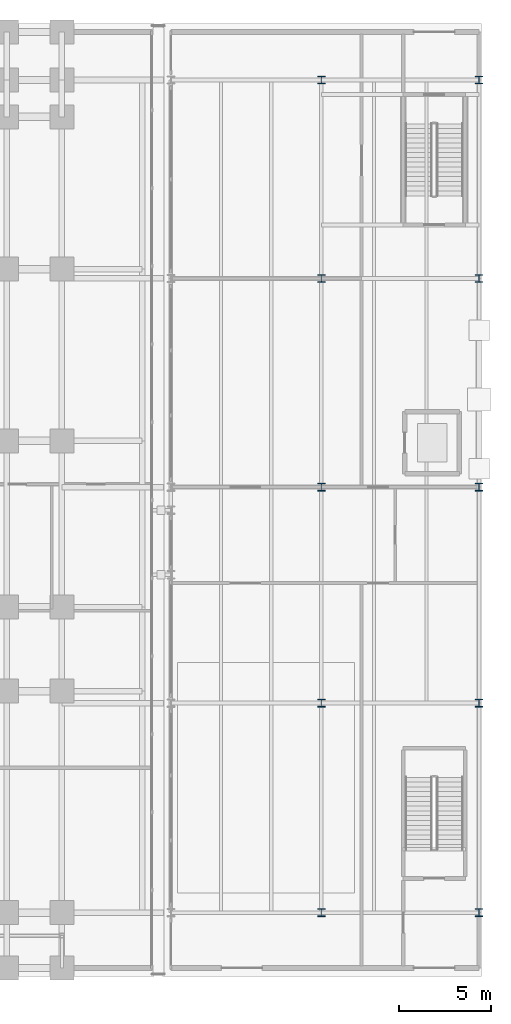
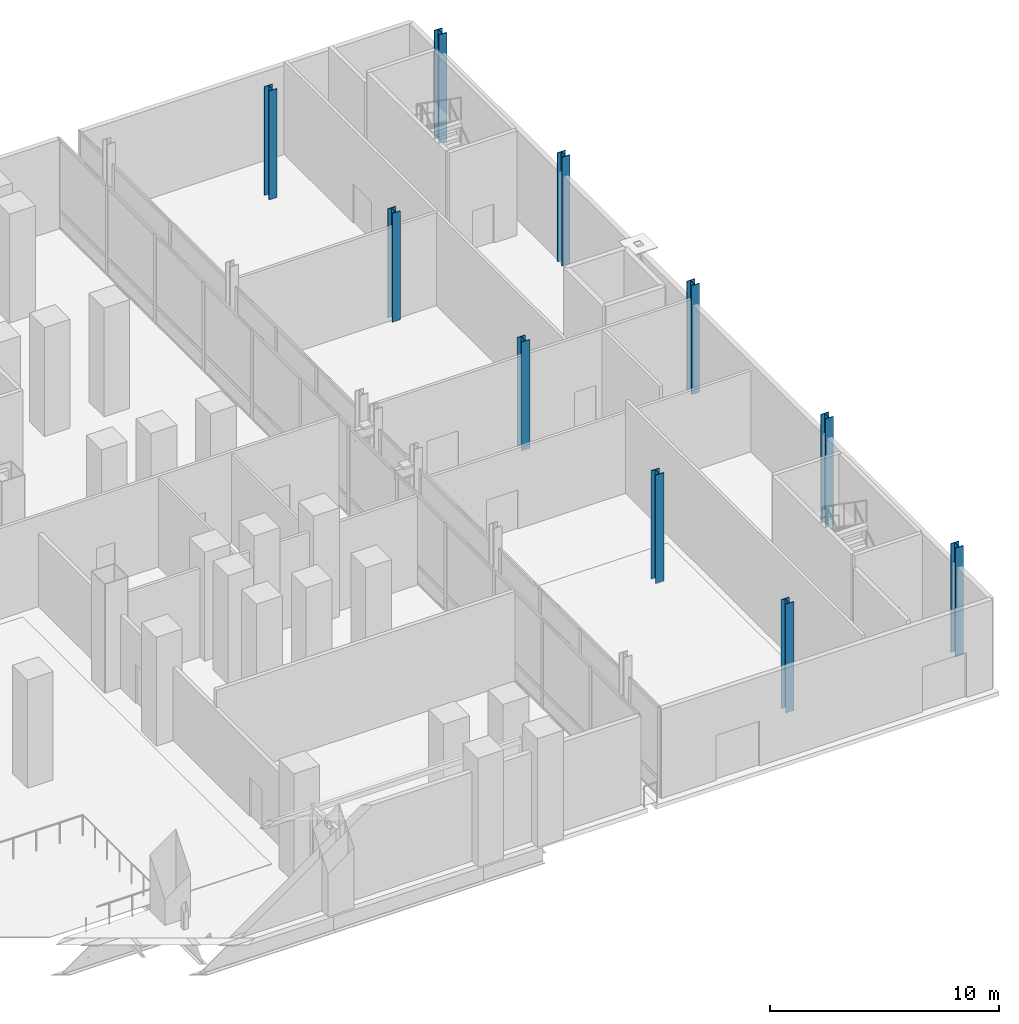
# One storey, part 5 of 36: 10 columns.
"""IFC4 building model written with IfcOpenShell, lengths in metres."""

import ifcopenshell
import ifcopenshell.guid

model = None  # the IFC model being written
_history = None  # IfcOwnerHistory: only IFC2X3 demands one
_inside = {}  # id of a spatial element -> (the spatial element, [elements in it])
_under = {}  # id of a project, library or spatial element -> (it, [spatial elements below it])
_declared = {}  # id of a project -> (the project, [libraries it declares])
_typed = {}  # id of a type object -> (the type object, [elements of that type])
_made_of = {}  # id of a material, layer set ... -> (it, [elements and type objects made of it])


def new_model(schema):
    """Start an empty IFC model of exactly this schema.

    Asked for "IFC4X3", IfcOpenShell would pick the latest addendum, in which some entities
    have other attributes; the version numbers below select the first issue.
    IFC2X3 requires an IfcOwnerHistory on every rooted entity: one is made here for all.
    """
    global model, _history
    if schema == "IFC4X3":
        model = ifcopenshell.file(schema_version=(4, 3, 0, 0))
    else:
        model = ifcopenshell.file(schema=schema)
    _inside.clear()
    _under.clear()
    _declared.clear()
    _typed.clear()
    _made_of.clear()
    _history = None
    if model.schema == "IFC2X3":
        org = make("IfcOrganization", Name="unknown")
        user = make(
            "IfcPersonAndOrganization",
            ThePerson=make("IfcPerson", FamilyName="unknown"),
            TheOrganization=org,
        )
        app = make(
            "IfcApplication",
            ApplicationDeveloper=org,
            Version="unknown",
            ApplicationFullName="unknown",
            ApplicationIdentifier="unknown",
        )
        _history = make(
            "IfcOwnerHistory",
            OwningUser=user,
            OwningApplication=app,
            ChangeAction="ADDED",
            CreationDate=0,
        )
    return model


def make(cls, **values):
    """One entity of the class cls with the attributes given. An attribute that is None is left unset."""
    return model.create_entity(
        cls, **{name: value for name, value in values.items() if value is not None}
    )


def rooted(cls, **values):
    """An entity with a GlobalId (a new one), such as an element, a storey or a relation."""
    return make(cls, GlobalId=ifcopenshell.guid.new(), OwnerHistory=_history, **values)


def si_unit(unit_type, name, prefix=None):
    """IfcSIUnit, for example si_unit("LENGTHUNIT", "METRE", prefix="MILLI")."""
    return make("IfcSIUnit", UnitType=unit_type, Prefix=prefix, Name=name)


def assignment(units):
    """IfcUnitAssignment: the units of a project."""
    return None if units is None else make("IfcUnitAssignment", Units=units)


def point(xyz):
    """IfcCartesianPoint."""
    return None if xyz is None else make("IfcCartesianPoint", Coordinates=xyz)


def direction(xyz):
    """IfcDirection."""
    return None if xyz is None else make("IfcDirection", DirectionRatios=xyz)


def frame(location, z_axis=None, x_axis=None):
    """IfcAxis2Placement3D, a coordinate frame: its origin and axes. An axis left out is left unset."""
    return make(
        "IfcAxis2Placement3D",
        Location=point(location),
        Axis=direction(z_axis),
        RefDirection=direction(x_axis),
    )


def frame_2d(location, x_axis=None):
    """IfcAxis2Placement2D, a coordinate frame in the plane: its origin and x axis."""
    return make(
        "IfcAxis2Placement2D", Location=point(location), RefDirection=direction(x_axis)
    )


def origin():
    """The frame at (0, 0, 0) with its axes left unset."""
    return frame((0.0, 0.0, 0.0))


def origin_2d():
    """The frame at (0, 0) in the plane with its x axis left unset."""
    return frame_2d((0.0, 0.0))


def place(relative_to, where):
    """IfcLocalPlacement: puts the frame where relative to a parent placement (None: the world)."""
    return make(
        "IfcLocalPlacement", PlacementRelTo=relative_to, RelativePlacement=where
    )


def context(
    kind, dimensions, precision=None, world=None, true_north=None, identifier=None
):
    """IfcGeometricRepresentationContext, for example the 3D "Model" context."""
    return make(
        "IfcGeometricRepresentationContext",
        ContextIdentifier=identifier,
        ContextType=kind,
        CoordinateSpaceDimension=dimensions,
        Precision=precision,
        WorldCoordinateSystem=world,
        TrueNorth=true_north,
    )


def subcontext(parent, identifier, kind, view, scale=None):
    """IfcGeometricRepresentationSubContext, for example "Body" below "Model"."""
    return make(
        "IfcGeometricRepresentationSubContext",
        ContextIdentifier=identifier,
        ContextType=kind,
        ParentContext=parent,
        TargetScale=scale,
        TargetView=view,
    )


def project(units=None, contexts=None):
    """IfcProject with its units and contexts."""
    return rooted(
        "IfcProject",
        Name="project",
        RepresentationContexts=contexts,
        UnitsInContext=assignment(units),
    )


def spatial(cls, under=None, at=None, **own):
    """A site, building, storey or space (cls), placed at a placement, below another one or the project."""
    s = rooted(cls, ObjectPlacement=at, **own)
    if under is not None:
        _under.setdefault(under.id(), (under, []))[1].append(s)
    return s


def profile(cls, at=None, kind="AREA", **sizes):
    """A parametric profile (cls). Its sizes go by their IFC names, for example OverallWidth=200.0."""
    return make(cls, ProfileType=kind, Position=at, **sizes)


def i_section(**sizes):
    """IfcIShapeProfileDef."""
    return profile("IfcIShapeProfileDef", **sizes)


def extrude(swept, where, along, depth):
    """IfcExtrudedAreaSolid: the profile swept, set in the frame where, extruded along a direction by depth."""
    return make(
        "IfcExtrudedAreaSolid",
        SweptArea=swept,
        Position=where,
        ExtrudedDirection=direction(along),
        Depth=depth,
    )


def shape(context_of_items, identifier, shape_type, items):
    """IfcShapeRepresentation: the items that make up one representation, for example the "Body"."""
    return make(
        "IfcShapeRepresentation",
        ContextOfItems=context_of_items,
        RepresentationIdentifier=identifier,
        RepresentationType=shape_type,
        Items=items,
    )


def material(Name=None, Category=None):
    """IfcMaterial."""
    return make("IfcMaterial", Name=Name, Category=Category)


def material_profile(
    of_material, cross_section, Name=None, Category=None, Priority=None
):
    """IfcMaterialProfile: a cross section and its material."""
    return make(
        "IfcMaterialProfile",
        Name=Name,
        Material=of_material,
        Profile=cross_section,
        Priority=Priority,
        Category=Category,
    )


def profile_set(profiles, Name=None, composite=None):
    """IfcMaterialProfileSet."""
    return make(
        "IfcMaterialProfileSet",
        Name=Name,
        MaterialProfiles=profiles,
        CompositeProfile=composite,
    )


def made_of(thing, what):
    """Note that an element or type object is made of a material, layer set ...; save() writes the relation."""
    if what is not None:
        _made_of.setdefault(what.id(), (what, []))[1].append(thing)
    return thing


def type_object(cls, material=None, **own):
    """A type object (cls), such as IfcWallType, which elements share."""
    return made_of(rooted(cls, **own), material)


def element(
    cls,
    number,
    at=None,
    inside=None,
    cuts=None,
    type_object=None,
    material=None,
    context=None,
    identifier="Body",
    shape_type=None,
    held_by="IfcProductDefinitionShape",
    body=None,
    shapes=None,
    **own,
):
    """One element of the class cls, such as IfcWall. Its Tag is "e" and its number.

    at: its placement. inside: the storey or other place that contains it. cuts: it is an
    opening in that element (IfcRelVoidsElement). A single representation is given by context,
    identifier, shape_type and body (its items); several are given by shapes. held_by: the class
    of the entity that holds the representations. save() writes the other relations.
    """
    e = rooted(cls, Tag="e%d" % number, ObjectPlacement=at, **own)
    if body is not None:
        shapes = [shape(context, identifier, shape_type, body)]
    if shapes is not None:
        e.Representation = make(held_by, Representations=shapes)
    if inside is not None:
        _inside.setdefault(inside.id(), (inside, []))[1].append(e)
    if cuts is not None:
        rooted(
            "IfcRelVoidsElement", RelatingBuildingElement=cuts, RelatedOpeningElement=e
        )
    if type_object is not None:
        _typed.setdefault(type_object.id(), (type_object, []))[1].append(e)
    return made_of(e, material)


def aggregate(whole, parts):
    """IfcRelAggregates: a whole, such as a stair, and the parts it consists of."""
    return rooted("IfcRelAggregates", RelatingObject=whole, RelatedObjects=parts)


def save(model, path):
    """Write the relations noted so far, then the file.

    IfcRelAggregates (storeys below a building ...), IfcRelContainedInSpatialStructure (elements
    in a storey), IfcRelDefinesByType, IfcRelAssociatesMaterial and IfcRelDeclares: one each for
    every whole, place, type object, material and project.
    """
    for whole, parts in _under.values():
        aggregate(whole, parts)
    for where, things in _inside.values():
        rooted(
            "IfcRelContainedInSpatialStructure",
            RelatedElements=things,
            RelatingStructure=where,
        )
    for kind, things in _typed.values():
        rooted("IfcRelDefinesByType", RelatedObjects=things, RelatingType=kind)
    for what, things in _made_of.values():
        rooted("IfcRelAssociatesMaterial", RelatedObjects=things, RelatingMaterial=what)
    for by, libraries in _declared.values():
        rooted("IfcRelDeclares", RelatingContext=by, RelatedDefinitions=libraries)
    model.write(path)


model = new_model("IFC4")

# Units and contexts
model_context = context("Model", 3, precision=1e-05, world=origin(), true_north=direction((0.0, 1.0)))
body_context = subcontext(model_context, "Body", "Model", "MODEL_VIEW")
ifc_project = project(units=[si_unit("LENGTHUNIT", "METRE"), si_unit("AREAUNIT", "SQUARE_METRE"), si_unit("VOLUMEUNIT", "CUBIC_METRE"), si_unit("PLANEANGLEUNIT", "RADIAN"), si_unit("MASSUNIT", "GRAM", prefix="KILO")], contexts=[model_context])

# Site, building, storey
site_placement = place(None, origin())
site = spatial("IfcSite", under=ifc_project, at=site_placement, CompositionType="ELEMENT")
building_placement = place(site_placement, origin())
building = spatial("IfcBuilding", under=site, at=building_placement, Name="Noeulbin Bourse Tower", CompositionType="ELEMENT")
storey_placement = place(building_placement, origin())
storey = spatial("IfcBuildingStorey", under=building, at=storey_placement, Name="L01", CompositionType="ELEMENT", Elevation=0.0)

# Columns
ifc_material = material(Name="Steel S355", Category="steel")
ifc_material_profile = material_profile(ifc_material, i_section(OverallWidth=0.406982421875, OverallDepth=0.427978515625, WebThickness=0.02001953125, FlangeThickness=0.034912109375, FilletRadius=0.02197265625, at=origin_2d()), Name="H-428x407x20x35", Category="LoadBearing")
ifc_profile_set = profile_set([ifc_material_profile], Name="Steel S355")
column_type = type_object("IfcColumnType", Name="COL-MKT-ST", PredefinedType="COLUMN", material=ifc_profile_set)
for number, where, z_axis, x_axis, name in (
    (1, (68.60009765625, 3.449951171875, 0.0), (0.0, 0.0, 1.0), (1.0, 0.0, 0.0), "Market Hall Column COL-MKT-ST 08"),
    (2, (68.60009765625, 14.800048828125, 0.0), (0.0, 0.0, 1.0), (1.0, 0.0, 0.0), "Market Hall Column COL-MKT-ST 09"),
    (3, (68.60009765625, 26.5, 0.0), (0.0, 0.0, 1.0), (1.0, 0.0, 0.0), "Market Hall Column COL-MKT-ST 10"),
    (4, (68.60009765625, 37.800048828125, 0.0), (0.0, 0.0, 1.0), (1.0, 0.0, 0.0), "Market Hall Column COL-MKT-ST 11"),
    (5, (68.60009765625, 48.550048828125, 0.0), (0.0, 0.0, 1.0), (1.0, 0.0, 0.0), "Market Hall Column COL-MKT-ST 12"),
    (6, (77.14990234375, 3.449951171875, 0.0), (0.0, 0.0, 1.0), (1.0, 0.0, 0.0), "Market Hall Column COL-MKT-ST 13"),
    (7, (77.14990234375, 14.800048828125, 0.0), (0.0, 0.0, 1.0), (1.0, 0.0, 0.0), "Market Hall Column COL-MKT-ST 14"),
    (8, (77.14990234375, 26.5, 0.0), (0.0, 0.0, 1.0), (1.0, 0.0, 0.0), "Market Hall Column COL-MKT-ST 15"),
    (9, (77.14990234375, 37.800048828125, 0.0), (0.0, 0.0, 1.0), (1.0, 0.0, 0.0), "Market Hall Column COL-MKT-ST 16"),
    (10, (77.14990234375, 48.550048828125, 0.0), (0.0, 0.0, 1.0), (1.0, 0.0, 0.0), "Market Hall Column COL-MKT-ST 17"),
):
    element("IfcColumn", number, at=place(storey_placement, frame(where, z_axis=z_axis, x_axis=x_axis)), inside=storey, type_object=column_type, Name=name, PredefinedType="COLUMN", context=body_context, shape_type="SweptSolid", body=[
        extrude(i_section(OverallWidth=0.406982421875, OverallDepth=0.427978515625, WebThickness=0.02001953125, FlangeThickness=0.034912109375, FilletRadius=0.02197265625, at=origin_2d()), origin(), (0.0, 0.0, 1.0), 5.800048828125),
    ])

save(model, "model.ifc")
